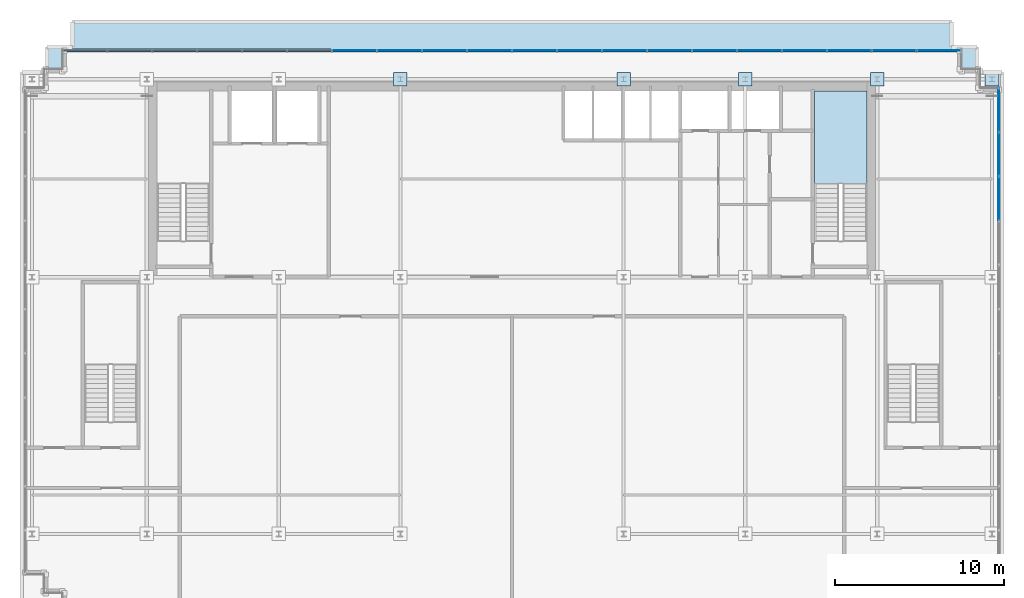
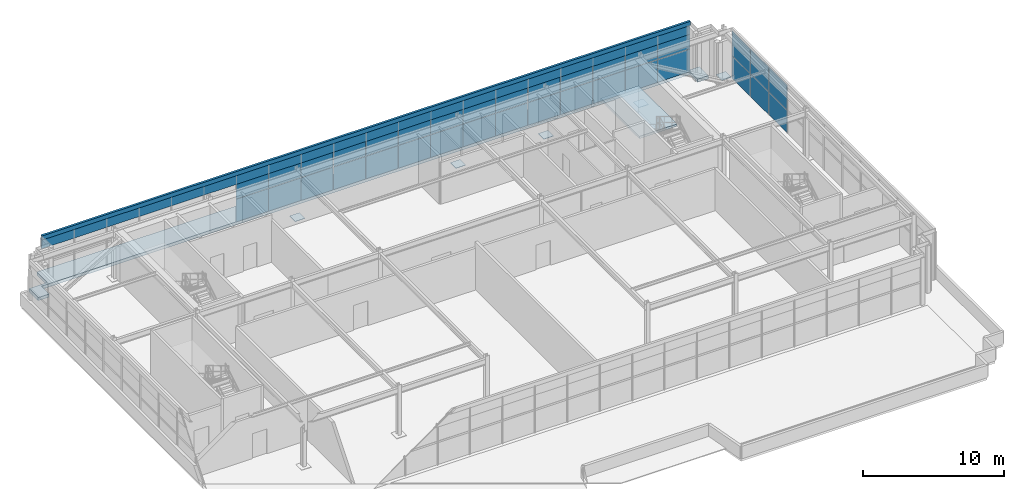
# One storey, part 27 of 38: 41 plates, 2 slabs, 3 elements without a shape of their own.
"""IFC4 building model written with IfcOpenShell, lengths in metres."""

from ifc_helpers import new_model, si_unit, direction, frame, origin, origin_2d, place, context, subcontext, project, spatial, polyline, rectangle, outline, extrude, source, transform, mapped, material, layer, layer_set, type_object, element, aggregate, save


model = new_model("IFC4")

# Units and contexts
model_context = context("Model", 3, precision=1e-05, world=origin(), true_north=direction((0.0, 1.0)))
body_context = subcontext(model_context, "Body", "Model", "MODEL_VIEW")
ifc_project = project(units=[si_unit("LENGTHUNIT", "METRE"), si_unit("AREAUNIT", "SQUARE_METRE"), si_unit("VOLUMEUNIT", "CUBIC_METRE"), si_unit("PLANEANGLEUNIT", "RADIAN"), si_unit("MASSUNIT", "GRAM", prefix="KILO")], contexts=[model_context])

# Site, building, storey
site_placement = place(None, origin())
site = spatial("IfcSite", under=ifc_project, at=site_placement, CompositionType="ELEMENT")
building_placement = place(site_placement, origin())
building = spatial("IfcBuilding", under=site, at=building_placement, Name="Trelvane Seafront Commons", CompositionType="ELEMENT")
storey_placement = place(building_placement, frame((0.0, 0.0, 299.10009765625)))
storey = spatial("IfcBuildingStorey", under=building, at=storey_placement, Name="L78", CompositionType="ELEMENT", Elevation=299.10009765625)

# Stair, slab
ifc_material_1 = material(Name="Concrete C40/50", Category="concrete")
stair_type = type_object("IfcStairType", Name="ARCH-STR-ST-2-R26-169", PredefinedType="HALF_TURN_STAIR", material=ifc_material_1)
stair_placement = place(storey_placement, origin())
stair = element("IfcStair", 1, at=stair_placement, inside=storey, type_object=stair_type, Name="L78 East Protected Firefighting Exit Stair ST-2", PredefinedType="HALF_TURN_STAIR")
ifc_layer_1 = layer(ifc_material_1, 0.199951171875, Name="ARCH-LND-200")
ifc_layer_set_1 = layer_set([ifc_layer_1], Name="Concrete C40/50")
slab_type_1 = type_object("IfcSlabType", Name="ARCH-LND-200", PredefinedType="LANDING", material=ifc_layer_set_1)
slab_1_placement = place(storey_placement, frame((0.0, 0.0, 2.0)))
slab_1 = element("IfcSlab", 2, at=slab_1_placement, type_object=slab_type_1, Name="ST-2 landing 1", PredefinedType="LANDING", context=body_context, shape_type="SweptSolid", body=[
    extrude(outline(polyline([(58.199951171875, 38.909912109375), (58.199951171875, 44.39990234375), (55.10009765625, 44.39990234375), (55.10009765625, 38.909912109375), (58.199951171875, 38.909912109375)])), origin(), (0.0, 0.0, 1.0), 0.199951171875),
])
aggregate(stair, [slab_1])

# Slab
ifc_layer_2 = layer(ifc_material_1, 0.27001953125, Name="STR-ROOF-270")
ifc_layer_set_2 = layer_set([ifc_layer_2], Name="Concrete C40/50")
slab_type_2 = type_object("IfcSlabType", Name="STR-ROOF-270", PredefinedType="ROOF", material=ifc_layer_set_2)
slab_2_placement = place(storey_placement, frame((0.0, 0.0, -0.27001953125)))
element("IfcSlab", 3, at=slab_2_placement, inside=storey, type_object=slab_type_2, Name="L78 Crown Setback Step Roof Slab", PredefinedType="ROOF", context=body_context, shape_type="SweptSolid", body=[
    extrude(outline(polyline([(9.699951171875, 45.699951171875), (10.60009765625, 45.699951171875), (10.60009765625, 46.800048828125), (63.800048828125, 46.800048828125), (63.800048828125, 45.699951171875), (64.699951171875, 45.699951171875), (64.699951171875, 47.0), (63.199951171875, 47.0), (63.199951171875, 48.5), (11.199951171875, 48.5), (11.199951171875, 47.0), (9.699951171875, 47.0), (9.699951171875, 45.699951171875)])), origin(), (0.0, 0.0, 1.0), 0.27001953125),
])

# Plates
ifc_material_2 = material(Name="Steel SM355 (S355)", Category="steel")
ifc_layer_3 = layer(ifc_material_2, 0.034912109375, Name="STR-PLT-BASE-CRN")
ifc_layer_set_3 = layer_set([ifc_layer_3], Name="Steel SM355 (S355)")
plate_type_1 = type_object("IfcPlateType", Name="STR-PLT-BASE-CRN", PredefinedType="SHEET", material=ifc_layer_set_3)
shared_shape_1 = source(origin(), body_context, "Body", "SweptSolid", [
    extrude(rectangle(XDim=0.800048828125, YDim=0.800048828125, at=origin_2d()), origin(), (0.0, 0.0, 1.0), 0.034912109375),
])
for number, where, z_axis, x_axis, name in (
    (4, (30.60009765625, 45.10009765625, 0.0), (0.0, 0.0, 1.0), (1.0, 0.0, 0.0), "L78 CROWN FRAME Column Base Plate CRN1-12"),
    (5, (43.800048828125, 45.10009765625, 0.0), (0.0, 0.0, 1.0), (1.0, 0.0, 0.0), "L78 CROWN FRAME Column Base Plate CRN1-15"),
    (6, (51.0, 45.10009765625, 0.0), (0.0, 0.0, 1.0), (1.0, 0.0, 0.0), "L78 CROWN FRAME Column Base Plate CRN1-18"),
    (7, (58.800048828125, 45.10009765625, 0.0), (0.0, 0.0, 1.0), (1.0, 0.0, 0.0), "L78 CROWN FRAME Column Base Plate CRN1-21"),
    (8, (65.60009765625, 45.10009765625, 0.0), (0.0, 0.0, 1.0), (1.0, 0.0, 0.0), "L78 CROWN FRAME Column Base Plate CRN1-24"),
):
    element("IfcPlate", number, at=place(storey_placement, frame(where, z_axis=z_axis, x_axis=x_axis)), inside=storey, type_object=plate_type_1, Name=name, PredefinedType="SHEET", context=body_context, shape_type="MappedRepresentation", body=[
        mapped(shared_shape_1, transform((0.0, 0.0, 0.0), x_axis=(1.0, 0.0, 0.0), y_axis=(0.0, 1.0, 0.0), z_axis=(0.0, 0.0, 1.0), scale=1.0)),
    ])

# Curtain wall, plates
ifc_material_3 = material(Name="Anodised pale-silver aluminium", Category="aluminium")
curtain_wall_type = type_object("IfcCurtainWallType", Name="ARCH-CW6-CROWN", PredefinedType="NOTDEFINED", material=ifc_material_3)
curtain_wall_1_placement = place(storey_placement, origin())
curtain_wall_1 = element("IfcCurtainWall", 9, at=curtain_wall_1_placement, inside=storey, type_object=curtain_wall_type, Name="CW-L78-0126", PredefinedType="NOTDEFINED")
ifc_material_4 = material(Name="Low-E coastal double glazing", Category="glass")
ifc_layer_4 = layer(ifc_material_4, 0.033935546875, Name="ARCH-CW-GLAZ-34")
ifc_layer_set_4 = layer_set([ifc_layer_4], Name="Low-E coastal double glazing")
plate_type_2 = type_object("IfcPlateType", Name="ARCH-CW-GLAZ-34", PredefinedType="CURTAIN_PANEL", material=ifc_layer_set_4)
shared_shape_2 = source(origin(), body_context, "Body", "SweptSolid", [
    extrude(rectangle(XDim=2.59423828125, YDim=0.031982421875, at=origin_2d()), origin(), (0.0, 0.0, 1.0), 1.9599609375),
])
plate_1_placement = place(storey_placement, frame((66.0, 43.291015625, 0.0), z_axis=(0.0, 0.0, 1.0), x_axis=(0.0, -1.0, 0.0)))
plate_1 = element("IfcPlate", 10, at=plate_1_placement, type_object=plate_type_2, Name="CW-L78-0126-P00-1", PredefinedType="CURTAIN_PANEL", context=body_context, shape_type="MappedRepresentation", body=[
    mapped(shared_shape_2, transform((0.0, 0.0, 0.0), x_axis=(1.0, 0.0, 0.0), y_axis=(0.0, 1.0, 0.0), z_axis=(0.0, 0.0, 1.0), scale=1.0)),
])
plate_2_placement = place(storey_placement, frame((66.0, 40.672607421875, 0.0), z_axis=(0.0, 0.0, 1.0), x_axis=(0.0, -1.0, 0.0)))
plate_2 = element("IfcPlate", 11, at=plate_2_placement, type_object=plate_type_2, Name="CW-L78-0126-P01-1", PredefinedType="CURTAIN_PANEL", context=body_context, shape_type="MappedRepresentation", body=[
    mapped(shared_shape_2, transform((0.0, 0.0, 0.0), x_axis=(1.0, 0.0, 0.0), y_axis=(0.0, 1.0, 0.0), z_axis=(0.0, 0.0, 1.0), scale=1.0)),
])
shared_shape_3 = source(origin(), body_context, "Body", "SweptSolid", [
    extrude(rectangle(XDim=2.59423828125, YDim=0.031982421875, at=origin_2d()), origin(), (0.0, 0.0, 1.0), 2.1240234375),
])
plate_3_placement = place(storey_placement, frame((66.0, 43.291015625, 1.995849609375), z_axis=(0.0, 0.0, 1.0), x_axis=(0.0, -1.0, 0.0)))
plate_3 = element("IfcPlate", 12, at=plate_3_placement, type_object=plate_type_2, Name="CW-L78-0126-P00-2", PredefinedType="CURTAIN_PANEL", context=body_context, shape_type="MappedRepresentation", body=[
    mapped(shared_shape_3, transform((0.0, 0.0, 0.0), x_axis=(1.0, 0.0, 0.0), y_axis=(0.0, 1.0, 0.0), z_axis=(0.0, 0.0, 1.0), scale=1.0)),
])
plate_4_placement = place(storey_placement, frame((66.0, 40.672607421875, 1.995849609375), z_axis=(0.0, 0.0, 1.0), x_axis=(0.0, -1.0, 0.0)))
plate_4 = element("IfcPlate", 13, at=plate_4_placement, type_object=plate_type_2, Name="CW-L78-0126-P01-2", PredefinedType="CURTAIN_PANEL", context=body_context, shape_type="MappedRepresentation", body=[
    mapped(shared_shape_3, transform((0.0, 0.0, 0.0), x_axis=(1.0, 0.0, 0.0), y_axis=(0.0, 1.0, 0.0), z_axis=(0.0, 0.0, 1.0), scale=1.0)),
])
shared_shape_4 = source(origin(), body_context, "Body", "SweptSolid", [
    extrude(rectangle(XDim=2.593994140625, YDim=0.031982421875, at=origin_2d()), origin(), (0.0, 0.0, 1.0), 1.9599609375),
])
plate_5_placement = place(storey_placement, frame((66.0, 38.054443359375, 0.0), z_axis=(0.0, 0.0, 1.0), x_axis=(0.0, -1.0, 0.0)))
plate_5 = element("IfcPlate", 14, at=plate_5_placement, type_object=plate_type_2, Name="CW-L78-0126-P02-1", PredefinedType="CURTAIN_PANEL", context=body_context, shape_type="MappedRepresentation", body=[
    mapped(shared_shape_4, transform((0.0, 0.0, 0.0), x_axis=(1.0, 0.0, 0.0), y_axis=(0.0, 1.0, 0.0), z_axis=(0.0, 0.0, 1.0), scale=1.0)),
])
shared_shape_5 = source(origin(), body_context, "Body", "SweptSolid", [
    extrude(rectangle(XDim=2.593994140625, YDim=0.031982421875, at=origin_2d()), origin(), (0.0, 0.0, 1.0), 2.1240234375),
])
plate_6_placement = place(storey_placement, frame((66.0, 38.054443359375, 1.995849609375), z_axis=(0.0, 0.0, 1.0), x_axis=(0.0, -1.0, 0.0)))
plate_6 = element("IfcPlate", 15, at=plate_6_placement, type_object=plate_type_2, Name="CW-L78-0126-P02-2", PredefinedType="CURTAIN_PANEL", context=body_context, shape_type="MappedRepresentation", body=[
    mapped(shared_shape_5, transform((0.0, 0.0, 0.0), x_axis=(1.0, 0.0, 0.0), y_axis=(0.0, 1.0, 0.0), z_axis=(0.0, 0.0, 1.0), scale=1.0)),
])
aggregate(curtain_wall_1, [plate_1, plate_3, plate_2, plate_4, plate_5, plate_6])

curtain_wall_2_placement = place(storey_placement, origin())
curtain_wall_2 = element("IfcCurtainWall", 16, at=curtain_wall_2_placement, inside=storey, type_object=curtain_wall_type, Name="CW-L78-0125", PredefinedType="NOTDEFINED")
shared_shape_6 = source(origin(), body_context, "Body", "SweptSolid", [
    extrude(rectangle(XDim=2.635986328125, YDim=0.031982421875, at=origin_2d()), origin(), (0.0, 0.0, 1.0), 1.9599609375),
])
plate_7_placement = place(storey_placement, frame((27.889892578125, 46.800048828125, 0.0), z_axis=(0.0, 0.0, 1.0), x_axis=(1.0, 0.0, 0.0)))
plate_7 = element("IfcPlate", 17, at=plate_7_placement, type_object=plate_type_2, Name="CW-L78-0125-P06-1", PredefinedType="CURTAIN_PANEL", context=body_context, shape_type="MappedRepresentation", body=[
    mapped(shared_shape_6, transform((0.0, 0.0, 0.0), x_axis=(1.0, 0.0, 0.0), y_axis=(0.0, 1.0, 0.0), z_axis=(0.0, 0.0, 1.0), scale=1.0)),
])
plate_8_placement = place(storey_placement, frame((30.550048828125, 46.800048828125, 0.0), z_axis=(0.0, 0.0, 1.0), x_axis=(1.0, 0.0, 0.0)))
plate_8 = element("IfcPlate", 18, at=plate_8_placement, type_object=plate_type_2, Name="CW-L78-0125-P07-1", PredefinedType="CURTAIN_PANEL", context=body_context, shape_type="MappedRepresentation", body=[
    mapped(shared_shape_6, transform((0.0, 0.0, 0.0), x_axis=(1.0, 0.0, 0.0), y_axis=(0.0, 1.0, 0.0), z_axis=(0.0, 0.0, 1.0), scale=1.0)),
])
plate_9_placement = place(storey_placement, frame((33.2099609375, 46.800048828125, 0.0), z_axis=(0.0, 0.0, 1.0), x_axis=(1.0, 0.0, 0.0)))
plate_9 = element("IfcPlate", 19, at=plate_9_placement, type_object=plate_type_2, Name="CW-L78-0125-P08-1", PredefinedType="CURTAIN_PANEL", context=body_context, shape_type="MappedRepresentation", body=[
    mapped(shared_shape_6, transform((0.0, 0.0, 0.0), x_axis=(1.0, 0.0, 0.0), y_axis=(0.0, 1.0, 0.0), z_axis=(0.0, 0.0, 1.0), scale=1.0)),
])
plate_10_placement = place(storey_placement, frame((35.8701171875, 46.800048828125, 0.0), z_axis=(0.0, 0.0, 1.0), x_axis=(1.0, 0.0, 0.0)))
plate_10 = element("IfcPlate", 20, at=plate_10_placement, type_object=plate_type_2, Name="CW-L78-0125-P09-1", PredefinedType="CURTAIN_PANEL", context=body_context, shape_type="MappedRepresentation", body=[
    mapped(shared_shape_6, transform((0.0, 0.0, 0.0), x_axis=(1.0, 0.0, 0.0), y_axis=(0.0, 1.0, 0.0), z_axis=(0.0, 0.0, 1.0), scale=1.0)),
])
plate_11_placement = place(storey_placement, frame((38.530029296875, 46.800048828125, 0.0), z_axis=(0.0, 0.0, 1.0), x_axis=(1.0, 0.0, 0.0)))
plate_11 = element("IfcPlate", 21, at=plate_11_placement, type_object=plate_type_2, Name="CW-L78-0125-P10-1", PredefinedType="CURTAIN_PANEL", context=body_context, shape_type="MappedRepresentation", body=[
    mapped(shared_shape_6, transform((0.0, 0.0, 0.0), x_axis=(1.0, 0.0, 0.0), y_axis=(0.0, 1.0, 0.0), z_axis=(0.0, 0.0, 1.0), scale=1.0)),
])
plate_12_placement = place(storey_placement, frame((41.18994140625, 46.800048828125, 0.0), z_axis=(0.0, 0.0, 1.0), x_axis=(1.0, 0.0, 0.0)))
plate_12 = element("IfcPlate", 22, at=plate_12_placement, type_object=plate_type_2, Name="CW-L78-0125-P11-1", PredefinedType="CURTAIN_PANEL", context=body_context, shape_type="MappedRepresentation", body=[
    mapped(shared_shape_6, transform((0.0, 0.0, 0.0), x_axis=(1.0, 0.0, 0.0), y_axis=(0.0, 1.0, 0.0), z_axis=(0.0, 0.0, 1.0), scale=1.0)),
])
plate_13_placement = place(storey_placement, frame((43.85009765625, 46.800048828125, 0.0), z_axis=(0.0, 0.0, 1.0), x_axis=(1.0, 0.0, 0.0)))
plate_13 = element("IfcPlate", 23, at=plate_13_placement, type_object=plate_type_2, Name="CW-L78-0125-P12-1", PredefinedType="CURTAIN_PANEL", context=body_context, shape_type="MappedRepresentation", body=[
    mapped(shared_shape_6, transform((0.0, 0.0, 0.0), x_axis=(1.0, 0.0, 0.0), y_axis=(0.0, 1.0, 0.0), z_axis=(0.0, 0.0, 1.0), scale=1.0)),
])
plate_14_placement = place(storey_placement, frame((46.510009765625, 46.800048828125, 0.0), z_axis=(0.0, 0.0, 1.0), x_axis=(1.0, 0.0, 0.0)))
plate_14 = element("IfcPlate", 24, at=plate_14_placement, type_object=plate_type_2, Name="CW-L78-0125-P13-1", PredefinedType="CURTAIN_PANEL", context=body_context, shape_type="MappedRepresentation", body=[
    mapped(shared_shape_6, transform((0.0, 0.0, 0.0), x_axis=(1.0, 0.0, 0.0), y_axis=(0.0, 1.0, 0.0), z_axis=(0.0, 0.0, 1.0), scale=1.0)),
])
plate_15_placement = place(storey_placement, frame((49.169921875, 46.800048828125, 0.0), z_axis=(0.0, 0.0, 1.0), x_axis=(1.0, 0.0, 0.0)))
plate_15 = element("IfcPlate", 25, at=plate_15_placement, type_object=plate_type_2, Name="CW-L78-0125-P14-1", PredefinedType="CURTAIN_PANEL", context=body_context, shape_type="MappedRepresentation", body=[
    mapped(shared_shape_6, transform((0.0, 0.0, 0.0), x_axis=(1.0, 0.0, 0.0), y_axis=(0.0, 1.0, 0.0), z_axis=(0.0, 0.0, 1.0), scale=1.0)),
])
plate_16_placement = place(storey_placement, frame((51.830078125, 46.800048828125, 0.0), z_axis=(0.0, 0.0, 1.0), x_axis=(1.0, 0.0, 0.0)))
plate_16 = element("IfcPlate", 26, at=plate_16_placement, type_object=plate_type_2, Name="CW-L78-0125-P15-1", PredefinedType="CURTAIN_PANEL", context=body_context, shape_type="MappedRepresentation", body=[
    mapped(shared_shape_6, transform((0.0, 0.0, 0.0), x_axis=(1.0, 0.0, 0.0), y_axis=(0.0, 1.0, 0.0), z_axis=(0.0, 0.0, 1.0), scale=1.0)),
])
plate_17_placement = place(storey_placement, frame((54.489990234375, 46.800048828125, 0.0), z_axis=(0.0, 0.0, 1.0), x_axis=(1.0, 0.0, 0.0)))
plate_17 = element("IfcPlate", 27, at=plate_17_placement, type_object=plate_type_2, Name="CW-L78-0125-P16-1", PredefinedType="CURTAIN_PANEL", context=body_context, shape_type="MappedRepresentation", body=[
    mapped(shared_shape_6, transform((0.0, 0.0, 0.0), x_axis=(1.0, 0.0, 0.0), y_axis=(0.0, 1.0, 0.0), z_axis=(0.0, 0.0, 1.0), scale=1.0)),
])
plate_18_placement = place(storey_placement, frame((57.14990234375, 46.800048828125, 0.0), z_axis=(0.0, 0.0, 1.0), x_axis=(1.0, 0.0, 0.0)))
plate_18 = element("IfcPlate", 28, at=plate_18_placement, type_object=plate_type_2, Name="CW-L78-0125-P17-1", PredefinedType="CURTAIN_PANEL", context=body_context, shape_type="MappedRepresentation", body=[
    mapped(shared_shape_6, transform((0.0, 0.0, 0.0), x_axis=(1.0, 0.0, 0.0), y_axis=(0.0, 1.0, 0.0), z_axis=(0.0, 0.0, 1.0), scale=1.0)),
])
plate_19_placement = place(storey_placement, frame((59.81005859375, 46.800048828125, 0.0), z_axis=(0.0, 0.0, 1.0), x_axis=(1.0, 0.0, 0.0)))
plate_19 = element("IfcPlate", 29, at=plate_19_placement, type_object=plate_type_2, Name="CW-L78-0125-P18-1", PredefinedType="CURTAIN_PANEL", context=body_context, shape_type="MappedRepresentation", body=[
    mapped(shared_shape_6, transform((0.0, 0.0, 0.0), x_axis=(1.0, 0.0, 0.0), y_axis=(0.0, 1.0, 0.0), z_axis=(0.0, 0.0, 1.0), scale=1.0)),
])
plate_20_placement = place(storey_placement, frame((62.469970703125, 46.800048828125, 0.0), z_axis=(0.0, 0.0, 1.0), x_axis=(1.0, 0.0, 0.0)))
plate_20 = element("IfcPlate", 30, at=plate_20_placement, type_object=plate_type_2, Name="CW-L78-0125-P19-1", PredefinedType="CURTAIN_PANEL", context=body_context, shape_type="MappedRepresentation", body=[
    mapped(shared_shape_6, transform((0.0, 0.0, 0.0), x_axis=(1.0, 0.0, 0.0), y_axis=(0.0, 1.0, 0.0), z_axis=(0.0, 0.0, 1.0), scale=1.0)),
])
shared_shape_7 = source(origin(), body_context, "Body", "SweptSolid", [
    extrude(rectangle(XDim=2.635986328125, YDim=0.031982421875, at=origin_2d()), origin(), (0.0, 0.0, 1.0), 2.1240234375),
])
plate_21_placement = place(storey_placement, frame((27.889892578125, 46.800048828125, 1.995849609375), z_axis=(0.0, 0.0, 1.0), x_axis=(1.0, 0.0, 0.0)))
plate_21 = element("IfcPlate", 31, at=plate_21_placement, type_object=plate_type_2, Name="CW-L78-0125-P06-2", PredefinedType="CURTAIN_PANEL", context=body_context, shape_type="MappedRepresentation", body=[
    mapped(shared_shape_7, transform((0.0, 0.0, 0.0), x_axis=(1.0, 0.0, 0.0), y_axis=(0.0, 1.0, 0.0), z_axis=(0.0, 0.0, 1.0), scale=1.0)),
])
plate_22_placement = place(storey_placement, frame((30.550048828125, 46.800048828125, 1.995849609375), z_axis=(0.0, 0.0, 1.0), x_axis=(1.0, 0.0, 0.0)))
plate_22 = element("IfcPlate", 32, at=plate_22_placement, type_object=plate_type_2, Name="CW-L78-0125-P07-2", PredefinedType="CURTAIN_PANEL", context=body_context, shape_type="MappedRepresentation", body=[
    mapped(shared_shape_7, transform((0.0, 0.0, 0.0), x_axis=(1.0, 0.0, 0.0), y_axis=(0.0, 1.0, 0.0), z_axis=(0.0, 0.0, 1.0), scale=1.0)),
])
plate_23_placement = place(storey_placement, frame((33.2099609375, 46.800048828125, 1.995849609375), z_axis=(0.0, 0.0, 1.0), x_axis=(1.0, 0.0, 0.0)))
plate_23 = element("IfcPlate", 33, at=plate_23_placement, type_object=plate_type_2, Name="CW-L78-0125-P08-2", PredefinedType="CURTAIN_PANEL", context=body_context, shape_type="MappedRepresentation", body=[
    mapped(shared_shape_7, transform((0.0, 0.0, 0.0), x_axis=(1.0, 0.0, 0.0), y_axis=(0.0, 1.0, 0.0), z_axis=(0.0, 0.0, 1.0), scale=1.0)),
])
plate_24_placement = place(storey_placement, frame((35.8701171875, 46.800048828125, 1.995849609375), z_axis=(0.0, 0.0, 1.0), x_axis=(1.0, 0.0, 0.0)))
plate_24 = element("IfcPlate", 34, at=plate_24_placement, type_object=plate_type_2, Name="CW-L78-0125-P09-2", PredefinedType="CURTAIN_PANEL", context=body_context, shape_type="MappedRepresentation", body=[
    mapped(shared_shape_7, transform((0.0, 0.0, 0.0), x_axis=(1.0, 0.0, 0.0), y_axis=(0.0, 1.0, 0.0), z_axis=(0.0, 0.0, 1.0), scale=1.0)),
])
plate_25_placement = place(storey_placement, frame((38.530029296875, 46.800048828125, 1.995849609375), z_axis=(0.0, 0.0, 1.0), x_axis=(1.0, 0.0, 0.0)))
plate_25 = element("IfcPlate", 35, at=plate_25_placement, type_object=plate_type_2, Name="CW-L78-0125-P10-2", PredefinedType="CURTAIN_PANEL", context=body_context, shape_type="MappedRepresentation", body=[
    mapped(shared_shape_7, transform((0.0, 0.0, 0.0), x_axis=(1.0, 0.0, 0.0), y_axis=(0.0, 1.0, 0.0), z_axis=(0.0, 0.0, 1.0), scale=1.0)),
])
plate_26_placement = place(storey_placement, frame((41.18994140625, 46.800048828125, 1.995849609375), z_axis=(0.0, 0.0, 1.0), x_axis=(1.0, 0.0, 0.0)))
plate_26 = element("IfcPlate", 36, at=plate_26_placement, type_object=plate_type_2, Name="CW-L78-0125-P11-2", PredefinedType="CURTAIN_PANEL", context=body_context, shape_type="MappedRepresentation", body=[
    mapped(shared_shape_7, transform((0.0, 0.0, 0.0), x_axis=(1.0, 0.0, 0.0), y_axis=(0.0, 1.0, 0.0), z_axis=(0.0, 0.0, 1.0), scale=1.0)),
])
plate_27_placement = place(storey_placement, frame((43.85009765625, 46.800048828125, 1.995849609375), z_axis=(0.0, 0.0, 1.0), x_axis=(1.0, 0.0, 0.0)))
plate_27 = element("IfcPlate", 37, at=plate_27_placement, type_object=plate_type_2, Name="CW-L78-0125-P12-2", PredefinedType="CURTAIN_PANEL", context=body_context, shape_type="MappedRepresentation", body=[
    mapped(shared_shape_7, transform((0.0, 0.0, 0.0), x_axis=(1.0, 0.0, 0.0), y_axis=(0.0, 1.0, 0.0), z_axis=(0.0, 0.0, 1.0), scale=1.0)),
])
plate_28_placement = place(storey_placement, frame((46.510009765625, 46.800048828125, 1.995849609375), z_axis=(0.0, 0.0, 1.0), x_axis=(1.0, 0.0, 0.0)))
plate_28 = element("IfcPlate", 38, at=plate_28_placement, type_object=plate_type_2, Name="CW-L78-0125-P13-2", PredefinedType="CURTAIN_PANEL", context=body_context, shape_type="MappedRepresentation", body=[
    mapped(shared_shape_7, transform((0.0, 0.0, 0.0), x_axis=(1.0, 0.0, 0.0), y_axis=(0.0, 1.0, 0.0), z_axis=(0.0, 0.0, 1.0), scale=1.0)),
])
plate_29_placement = place(storey_placement, frame((49.169921875, 46.800048828125, 1.995849609375), z_axis=(0.0, 0.0, 1.0), x_axis=(1.0, 0.0, 0.0)))
plate_29 = element("IfcPlate", 39, at=plate_29_placement, type_object=plate_type_2, Name="CW-L78-0125-P14-2", PredefinedType="CURTAIN_PANEL", context=body_context, shape_type="MappedRepresentation", body=[
    mapped(shared_shape_7, transform((0.0, 0.0, 0.0), x_axis=(1.0, 0.0, 0.0), y_axis=(0.0, 1.0, 0.0), z_axis=(0.0, 0.0, 1.0), scale=1.0)),
])
plate_30_placement = place(storey_placement, frame((51.830078125, 46.800048828125, 1.995849609375), z_axis=(0.0, 0.0, 1.0), x_axis=(1.0, 0.0, 0.0)))
plate_30 = element("IfcPlate", 40, at=plate_30_placement, type_object=plate_type_2, Name="CW-L78-0125-P15-2", PredefinedType="CURTAIN_PANEL", context=body_context, shape_type="MappedRepresentation", body=[
    mapped(shared_shape_7, transform((0.0, 0.0, 0.0), x_axis=(1.0, 0.0, 0.0), y_axis=(0.0, 1.0, 0.0), z_axis=(0.0, 0.0, 1.0), scale=1.0)),
])
plate_31_placement = place(storey_placement, frame((54.489990234375, 46.800048828125, 1.995849609375), z_axis=(0.0, 0.0, 1.0), x_axis=(1.0, 0.0, 0.0)))
plate_31 = element("IfcPlate", 41, at=plate_31_placement, type_object=plate_type_2, Name="CW-L78-0125-P16-2", PredefinedType="CURTAIN_PANEL", context=body_context, shape_type="MappedRepresentation", body=[
    mapped(shared_shape_7, transform((0.0, 0.0, 0.0), x_axis=(1.0, 0.0, 0.0), y_axis=(0.0, 1.0, 0.0), z_axis=(0.0, 0.0, 1.0), scale=1.0)),
])
plate_32_placement = place(storey_placement, frame((57.14990234375, 46.800048828125, 1.995849609375), z_axis=(0.0, 0.0, 1.0), x_axis=(1.0, 0.0, 0.0)))
plate_32 = element("IfcPlate", 42, at=plate_32_placement, type_object=plate_type_2, Name="CW-L78-0125-P17-2", PredefinedType="CURTAIN_PANEL", context=body_context, shape_type="MappedRepresentation", body=[
    mapped(shared_shape_7, transform((0.0, 0.0, 0.0), x_axis=(1.0, 0.0, 0.0), y_axis=(0.0, 1.0, 0.0), z_axis=(0.0, 0.0, 1.0), scale=1.0)),
])
plate_33_placement = place(storey_placement, frame((59.81005859375, 46.800048828125, 1.995849609375), z_axis=(0.0, 0.0, 1.0), x_axis=(1.0, 0.0, 0.0)))
plate_33 = element("IfcPlate", 43, at=plate_33_placement, type_object=plate_type_2, Name="CW-L78-0125-P18-2", PredefinedType="CURTAIN_PANEL", context=body_context, shape_type="MappedRepresentation", body=[
    mapped(shared_shape_7, transform((0.0, 0.0, 0.0), x_axis=(1.0, 0.0, 0.0), y_axis=(0.0, 1.0, 0.0), z_axis=(0.0, 0.0, 1.0), scale=1.0)),
])
plate_34_placement = place(storey_placement, frame((62.469970703125, 46.800048828125, 1.995849609375), z_axis=(0.0, 0.0, 1.0), x_axis=(1.0, 0.0, 0.0)))
plate_34 = element("IfcPlate", 44, at=plate_34_placement, type_object=plate_type_2, Name="CW-L78-0125-P19-2", PredefinedType="CURTAIN_PANEL", context=body_context, shape_type="MappedRepresentation", body=[
    mapped(shared_shape_7, transform((0.0, 0.0, 0.0), x_axis=(1.0, 0.0, 0.0), y_axis=(0.0, 1.0, 0.0), z_axis=(0.0, 0.0, 1.0), scale=1.0)),
])
aggregate(curtain_wall_2, [plate_7, plate_21, plate_8, plate_22, plate_9, plate_23, plate_10, plate_24, plate_11, plate_25, plate_12, plate_26, plate_13, plate_27, plate_14, plate_28, plate_15, plate_29, plate_16, plate_30, plate_17, plate_31, plate_18, plate_32, plate_19, plate_33, plate_20, plate_34])

# Plates
ifc_layer_5 = layer(ifc_material_3, 0.080078125, Name="ARCH-PLATE-LOUVRE")
ifc_layer_set_5 = layer_set([ifc_layer_5], Name="Anodised pale-silver aluminium")
plate_type_3 = type_object("IfcPlateType", Name="ARCH-PLATE-LOUVRE", PredefinedType="USERDEFINED", material=ifc_layer_set_5)
shared_shape_8 = source(origin(), body_context, "Body", "SweptSolid", [
    extrude(rectangle(XDim=53.199951171875, YDim=0.080078125, at=origin_2d()), origin(), (0.0, 0.0, 1.0), 0.889892578125),
])
plate_35_placement = place(storey_placement, frame((37.199951171875, 46.800048828125, 3.27001953125), z_axis=(0.0, 0.0, 1.0), x_axis=(1.0, 0.0, 0.0)))
element("IfcPlate", 45, at=plate_35_placement, inside=storey, type_object=plate_type_3, Name="LOU-L78-014", ObjectType="LOUVRE", PredefinedType="USERDEFINED", context=body_context, shape_type="MappedRepresentation", body=[
    mapped(shared_shape_8, transform((0.0, 0.0, 0.0), x_axis=(1.0, 0.0, 0.0), y_axis=(0.0, 1.0, 0.0), z_axis=(0.0, 0.0, 1.0), scale=1.0)),
])
ifc_layer_6 = layer(ifc_material_3, 0.179931640625, Name="ARCH-PLATE-AERO")
ifc_layer_set_6 = layer_set([ifc_layer_6], Name="Anodised pale-silver aluminium")
plate_type_4 = type_object("IfcPlateType", Name="ARCH-PLATE-AERO", PredefinedType="SHEET", material=ifc_layer_set_6)
shared_shape_9 = source(origin(), body_context, "Body", "SweptSolid", [
    extrude(rectangle(XDim=53.199951171875, YDim=0.179931640625, at=origin_2d()), origin(), (0.0, 0.0, 1.0), 0.360107421875),
])
plate_36_placement = place(storey_placement, frame((37.199951171875, 46.800048828125, 4.06005859375), z_axis=(0.0, 0.0, 1.0), x_axis=(1.0, 0.0, 0.0)))
element("IfcPlate", 46, at=plate_36_placement, inside=storey, type_object=plate_type_4, Name="AER-L78-00271", PredefinedType="SHEET", context=body_context, shape_type="MappedRepresentation", body=[
    mapped(shared_shape_9, transform((0.0, 0.0, 0.0), x_axis=(1.0, 0.0, 0.0), y_axis=(0.0, 1.0, 0.0), z_axis=(0.0, 0.0, 1.0), scale=1.0)),
])

save(model, "model.ifc")
